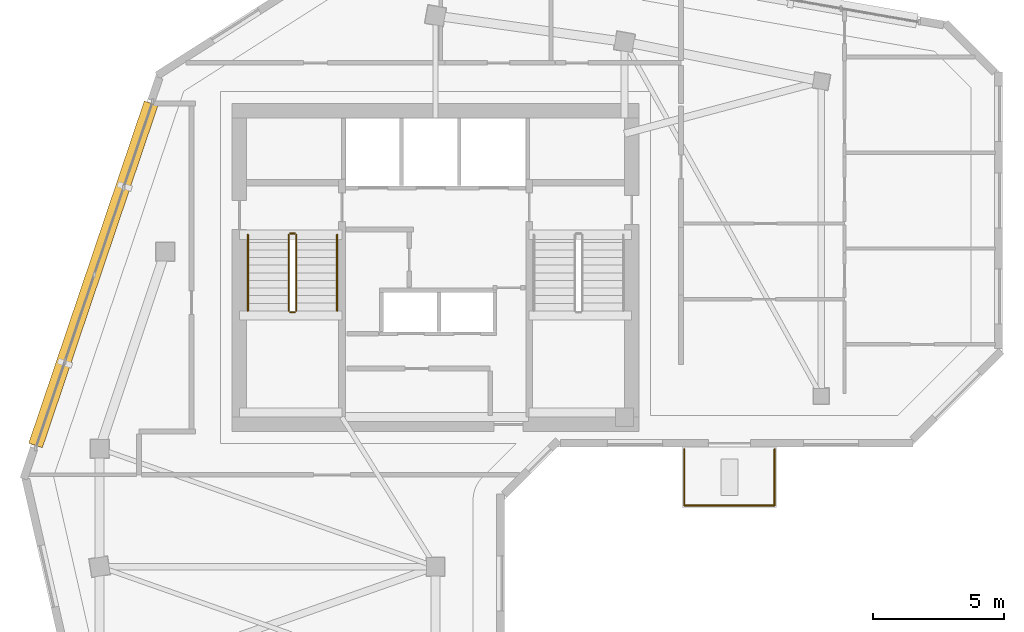
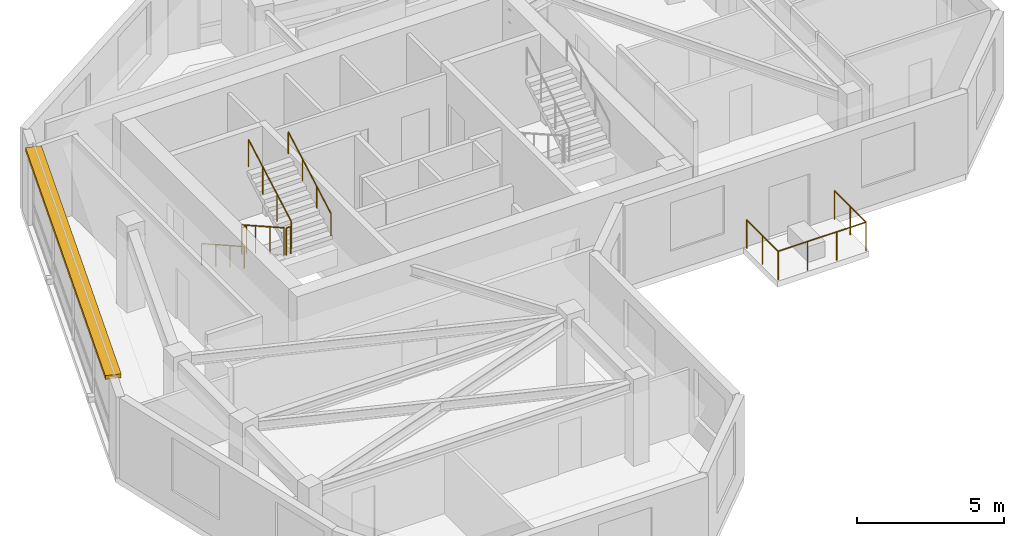
# One storey, part 7 of 9: 9 railings, 1 shading device.
"""IFC4 building model written with IfcOpenShell, lengths in metres."""

from ifc_helpers import new_model, si_unit, direction, frame, frame_2d, origin, origin_2d, place, context, subcontext, project, spatial, rectangle, circle, extrude, material, type_object, element, save


model = new_model("IFC4")

# Units and contexts
model_context = context("Model", 3, precision=1e-05, world=origin(), true_north=direction((0.0, 1.0)))
body_context = subcontext(model_context, "Body", "Model", "MODEL_VIEW")
ifc_project = project(units=[si_unit("LENGTHUNIT", "METRE"), si_unit("AREAUNIT", "SQUARE_METRE"), si_unit("VOLUMEUNIT", "CUBIC_METRE"), si_unit("PLANEANGLEUNIT", "RADIAN"), si_unit("MASSUNIT", "GRAM", prefix="KILO")], contexts=[model_context])

# Site, building, storey
site_placement = place(None, origin())
site = spatial("IfcSite", under=ifc_project, at=site_placement, CompositionType="ELEMENT")
building_placement = place(site_placement, origin())
building = spatial("IfcBuilding", under=site, at=building_placement, Name="Calvemar Wedge Station Tower", CompositionType="ELEMENT")
storey_placement = place(building_placement, frame((0.0, 0.0, 270.89990234375)))
storey = spatial("IfcBuildingStorey", under=building, at=storey_placement, Name="L69", CompositionType="ELEMENT", Elevation=270.89990234375)

# Railings
ifc_material_1 = material(Name="Stainless steel AISI 316L", Category="steel")
railing_type_1 = type_object("IfcRailingType", Name="GRD-TERR-1200", PredefinedType="GUARDRAIL", material=ifc_material_1)
railing_1_placement = place(storey_placement, frame((36.719970703125, 32.97607421875, 0.0)))
element("IfcRailing", 1, at=railing_1_placement, inside=storey, type_object=railing_type_1, Name="Storey L69 Spiral Terrace Guard 2", PredefinedType="GUARDRAIL", context=body_context, shape_type="SweptSolid", body=[
    extrude(circle(Radius=0.02392578125, at=origin_2d()), frame((0.0, 0.0, 1.17578125), z_axis=(0.0, -1.0, 0.0), x_axis=(1.0, 0.0, 0.0)), (0.0, 0.0, 1.0), 2.14013671875),
    extrude(circle(Radius=0.02099609375, at=origin_2d()), origin(), (0.0, 0.0, 1.0), 1.15185546875),
    extrude(circle(Radius=0.02099609375, at=origin_2d()), frame((0.0, -1.070068359375, 0.0)), (0.0, 0.0, 1.0), 1.15185546875),
    extrude(circle(Radius=0.02099609375, at=origin_2d()), frame((0.0, -2.14013671875, 0.0)), (0.0, 0.0, 1.0), 1.15185546875),
])
railing_2_placement = place(storey_placement, frame((36.719970703125, 30.8359375, 0.0)))
element("IfcRailing", 2, at=railing_2_placement, inside=storey, type_object=railing_type_1, Name="Storey L69 Spiral Terrace Guard 3", PredefinedType="GUARDRAIL", context=body_context, shape_type="SweptSolid", body=[
    extrude(circle(Radius=0.02392578125, at=origin_2d()), frame((0.0, 0.0, 1.17578125), z_axis=(-1.0, 0.0, 0.0), x_axis=(0.0, -1.0, 0.0)), (0.0, 0.0, 1.0), 3.43994140625),
    extrude(circle(Radius=0.02099609375, at=origin_2d()), origin(), (0.0, 0.0, 1.0), 1.15185546875),
    extrude(circle(Radius=0.02099609375, at=origin_2d()), frame((-1.146728515625, 0.0, 0.0)), (0.0, 0.0, 1.0), 1.15185546875),
    extrude(circle(Radius=0.02099609375, at=origin_2d()), frame((-2.293212890625, 0.0, 0.0)), (0.0, 0.0, 1.0), 1.15185546875),
    extrude(circle(Radius=0.02099609375, at=origin_2d()), frame((-3.43994140625, 0.0, 0.0)), (0.0, 0.0, 1.0), 1.15185546875),
])
railing_3_placement = place(storey_placement, frame((33.280029296875, 30.8359375, 0.0)))
element("IfcRailing", 3, at=railing_3_placement, inside=storey, type_object=railing_type_1, Name="Storey L69 Spiral Terrace Guard 4", PredefinedType="GUARDRAIL", context=body_context, shape_type="SweptSolid", body=[
    extrude(circle(Radius=0.02392578125, at=origin_2d()), frame((0.0, 0.0, 1.17578125), z_axis=(0.0, 1.0, 0.0), x_axis=(-1.0, 0.0, 0.0)), (0.0, 0.0, 1.0), 2.14013671875),
    extrude(circle(Radius=0.02099609375, at=origin_2d()), origin(), (0.0, 0.0, 1.0), 1.15185546875),
    extrude(circle(Radius=0.02099609375, at=origin_2d()), frame((0.0, 1.070068359375, 0.0)), (0.0, 0.0, 1.0), 1.15185546875),
    extrude(circle(Radius=0.02099609375, at=origin_2d()), frame((0.0, 2.14013671875, 0.0)), (0.0, 0.0, 1.0), 1.15185546875),
])
railing_type_2 = type_object("IfcRailingType", Name="RL-HANDRAIL-920", PredefinedType="HANDRAIL", material=ifc_material_1)
railing_4_placement = place(storey_placement, frame((16.64990234375, 41.14990234375, 0.163818359375)))
element("IfcRailing", 4, at=railing_4_placement, inside=storey, type_object=railing_type_2, Name="L69 ST-C1 stair handrail 1", PredefinedType="HANDRAIL", context=body_context, shape_type="SweptSolid", body=[
    extrude(circle(Radius=0.02392578125, at=origin_2d()), frame((0.0, 0.0, 0.89599609375), z_axis=(0.0, -0.870928581787, 0.491409610636), x_axis=(1.0, 0.0, 0.0)), (0.0, 0.0, 1.0), 3.32958984375),
    extrude(circle(Radius=0.02099609375, at=origin_2d()), origin(), (0.0, 0.0, 1.0), 0.871826171875),
    extrude(circle(Radius=0.02099609375, at=origin_2d()), frame((0.0, -0.966552734375, 0.54541015625)), (0.0, 0.0, 1.0), 0.871826171875),
    extrude(circle(Radius=0.02099609375, at=origin_2d()), frame((0.0, -1.933349609375, 1.0908203125)), (0.0, 0.0, 1.0), 0.871826171875),
    extrude(circle(Radius=0.02099609375, at=origin_2d()), frame((0.0, -2.89990234375, 1.63623046875)), (0.0, 0.0, 1.0), 0.871826171875),
])
railing_5_placement = place(storey_placement, frame((20.050048828125, 38.25, 1.963623046875)))
element("IfcRailing", 5, at=railing_5_placement, inside=storey, type_object=railing_type_2, Name="L69 ST-C1 stair handrail 2", PredefinedType="HANDRAIL", context=body_context, shape_type="SweptSolid", body=[
    extrude(circle(Radius=0.02392578125, at=origin_2d()), frame((0.0, 0.0, 0.89599609375), z_axis=(0.0, 0.870897200241, 0.491465224214), x_axis=(-1.0, 0.0, 0.0)), (0.0, 0.0, 1.0), 3.329833984375),
    extrude(circle(Radius=0.02099609375, at=origin_2d()), origin(), (0.0, 0.0, 1.0), 0.871826171875),
    extrude(circle(Radius=0.02099609375, at=origin_2d()), frame((0.0, 0.966552734375, 0.54541015625)), (0.0, 0.0, 1.0), 0.871826171875),
    extrude(circle(Radius=0.02099609375, at=origin_2d()), frame((0.0, 1.933349609375, 1.091064453125)), (0.0, 0.0, 1.0), 0.871826171875),
    extrude(circle(Radius=0.02099609375, at=origin_2d()), frame((0.0, 2.89990234375, 1.636474609375)), (0.0, 0.0, 1.0), 0.871826171875),
])
ifc_material_2 = material(Name="Painted steel guardrail ASTM A500 Grade C", Category="steel")
railing_type_3 = type_object("IfcRailingType", Name="RL-STAIR-GUARD-1150", PredefinedType="GUARDRAIL", material=ifc_material_2)
railing_6_placement = place(storey_placement, frame((18.2099609375, 41.14990234375, 0.163818359375)))
element("IfcRailing", 6, at=railing_6_placement, inside=storey, type_object=railing_type_3, Name="L69 ST-C1 stair guard 1", PredefinedType="GUARDRAIL", context=body_context, shape_type="SweptSolid", body=[
    extrude(circle(Radius=0.02392578125, at=origin_2d()), frame((0.0, 0.0, 1.1259765625), z_axis=(0.0, -0.870928581787, 0.491409610636), x_axis=(1.0, 0.0, 0.0)), (0.0, 0.0, 1.0), 3.32958984375),
    extrude(circle(Radius=0.02099609375, at=origin_2d()), origin(), (0.0, 0.0, 1.0), 1.101806640625),
    extrude(circle(Radius=0.02099609375, at=origin_2d()), frame((0.0, -0.966552734375, 0.54541015625)), (0.0, 0.0, 1.0), 1.101806640625),
    extrude(circle(Radius=0.02099609375, at=origin_2d()), frame((0.0, -1.933349609375, 1.0908203125)), (0.0, 0.0, 1.0), 1.101806640625),
    extrude(circle(Radius=0.02099609375, at=origin_2d()), frame((0.0, -2.89990234375, 1.63623046875)), (0.0, 0.0, 1.0), 1.101806640625),
])
railing_7_placement = place(storey_placement, frame((18.260009765625, 38.199951171875, 1.800048828125)))
element("IfcRailing", 7, at=railing_7_placement, inside=storey, type_object=railing_type_3, Name="L69 ST-C1 stair guard 2", PredefinedType="GUARDRAIL", context=body_context, shape_type="SweptSolid", body=[
    extrude(circle(Radius=0.02392578125, at=origin_2d()), frame((0.0, 0.0, 1.1259765625), z_axis=(1.0, 0.0, 0.0), x_axis=(0.0, 1.0, 0.0)), (0.0, 0.0, 1.0), 0.179931640625),
    extrude(circle(Radius=0.02099609375, at=origin_2d()), origin(), (0.0, 0.0, 1.0), 1.101806640625),
    extrude(circle(Radius=0.02099609375, at=origin_2d()), frame((0.179931640625, 0.0, 0.0)), (0.0, 0.0, 1.0), 1.101806640625),
])
railing_8_placement = place(storey_placement, frame((18.489990234375, 38.25, 1.963623046875)))
element("IfcRailing", 8, at=railing_8_placement, inside=storey, type_object=railing_type_3, Name="L69 ST-C1 stair guard 3", PredefinedType="GUARDRAIL", context=body_context, shape_type="SweptSolid", body=[
    extrude(circle(Radius=0.02392578125, at=origin_2d()), frame((0.0, 0.0, 1.1259765625), z_axis=(0.0, 0.870897200241, 0.491465224214), x_axis=(-1.0, 0.0, 0.0)), (0.0, 0.0, 1.0), 3.329833984375),
    extrude(circle(Radius=0.02099609375, at=origin_2d()), origin(), (0.0, 0.0, 1.0), 1.101806640625),
    extrude(circle(Radius=0.02099609375, at=origin_2d()), frame((0.0, 0.966552734375, 0.54541015625)), (0.0, 0.0, 1.0), 1.101806640625),
    extrude(circle(Radius=0.02099609375, at=origin_2d()), frame((0.0, 1.933349609375, 1.091064453125)), (0.0, 0.0, 1.0), 1.101806640625),
    extrude(circle(Radius=0.02099609375, at=origin_2d()), frame((0.0, 2.89990234375, 1.636474609375)), (0.0, 0.0, 1.0), 1.101806640625),
])
railing_9_placement = place(storey_placement, frame((18.260009765625, 41.199951171875, 0.0)))
element("IfcRailing", 9, at=railing_9_placement, inside=storey, type_object=railing_type_3, Name="L69 ST-C1 stair guard 4", PredefinedType="GUARDRAIL", context=body_context, shape_type="SweptSolid", body=[
    extrude(circle(Radius=0.02392578125, at=origin_2d()), frame((0.0, 0.0, 1.1259765625), z_axis=(1.0, 0.0, 0.0), x_axis=(0.0, 1.0, 0.0)), (0.0, 0.0, 1.0), 0.179931640625),
    extrude(circle(Radius=0.02099609375, at=origin_2d()), origin(), (0.0, 0.0, 1.0), 1.101806640625),
    extrude(circle(Radius=0.02099609375, at=origin_2d()), frame((0.179931640625, 0.0, 0.0)), (0.0, 0.0, 1.0), 1.101806640625),
])

# Shading device
ifc_material_3 = material(Name="Precast concrete C45", Category="concrete")
shading_device_type = type_object("IfcShadingDeviceType", Name="SHD-EYEBROW-1", PredefinedType="SHUTTER", material=ifc_material_3)
shading_device_placement = place(storey_placement, frame((12.960205078125, 46.158447265625, 3.170166015625), z_axis=(0.0, 0.0, 1.0), x_axis=(-0.319909065148, -0.947448251904, 0.0)))
element("IfcShadingDevice", 10, at=shading_device_placement, inside=storey, type_object=shading_device_type, Name="Storey L69 Bronze GFRC Solar Eyebrow 12", PredefinedType="SHUTTER", context=body_context, shape_type="SweptSolid", body=[
    extrude(rectangle(XDim=13.759033203125, YDim=0.550048828125, at=frame_2d((6.87939453125, 0.0))), origin(), (0.0, 0.0, 1.0), 0.159912109375),
])

save(model, "model.ifc")
